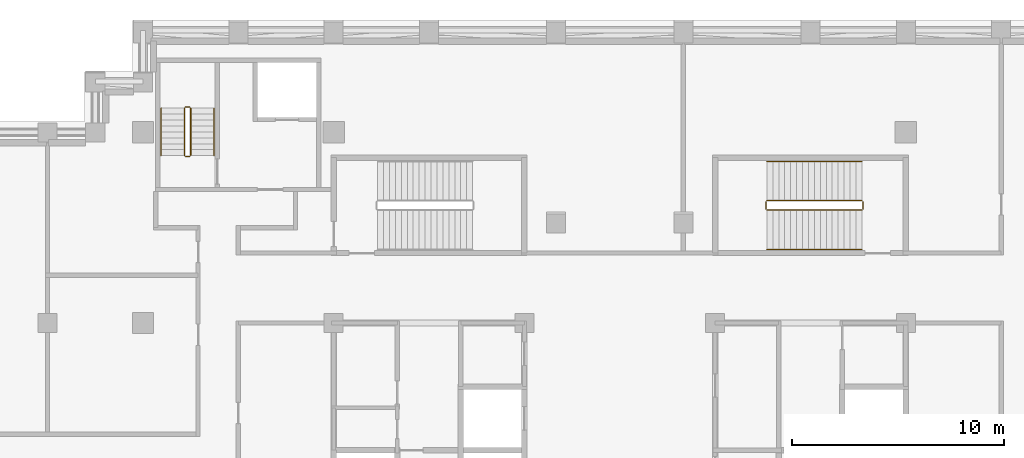
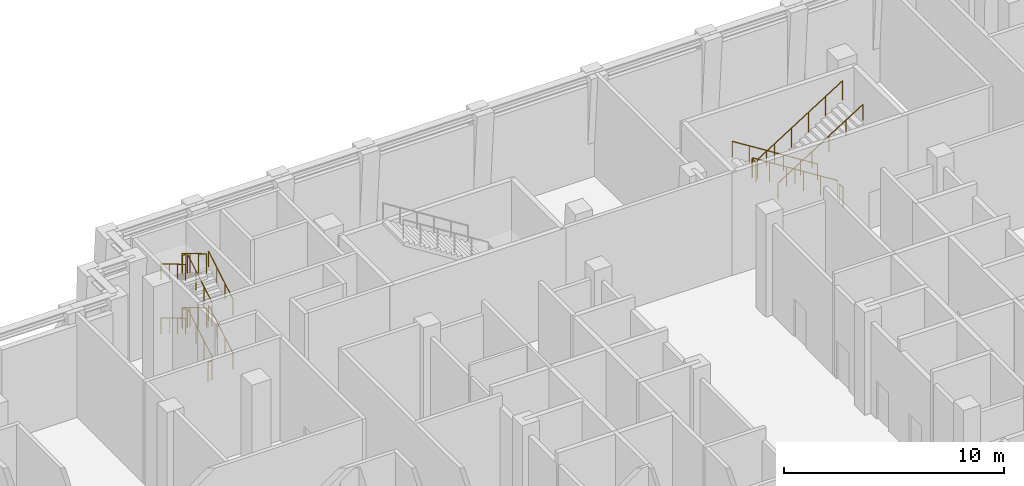
# One storey, part 10 of 10: 2 railings.
"""IFC4 building model written with IfcOpenShell, lengths in metres."""

from ifc_helpers import new_model, si_unit, direction, frame, origin, origin_2d, place, context, subcontext, project, spatial, circle, extrude, material, type_object, element, save


model = new_model("IFC4")

# Units and contexts
model_context = context("Model", 3, precision=1e-05, world=origin(), true_north=direction((0.0, 1.0)))
body_context = subcontext(model_context, "Body", "Model", "MODEL_VIEW")
ifc_project = project(units=[si_unit("LENGTHUNIT", "METRE"), si_unit("AREAUNIT", "SQUARE_METRE"), si_unit("VOLUMEUNIT", "CUBIC_METRE"), si_unit("PLANEANGLEUNIT", "RADIAN"), si_unit("MASSUNIT", "GRAM", prefix="KILO")], contexts=[model_context])

# Site, building, storey
site_placement = place(None, origin())
site = spatial("IfcSite", under=ifc_project, at=site_placement, CompositionType="ELEMENT")
building_placement = place(site_placement, origin())
building = spatial("IfcBuilding", under=site, at=building_placement, Name="Corbelhall Arena Tower", CompositionType="ELEMENT")
storey_placement = place(building_placement, frame((0.0, 0.0, 236.0)))
storey = spatial("IfcBuildingStorey", under=building, at=storey_placement, Name="L50", CompositionType="ELEMENT", Elevation=236.0)

# Railings
ifc_material = material(Name="Steel ASTM A500 Gr C", Category="steel")
railing_type = type_object("IfcRailingType", Name="IN-GD-1100", PredefinedType="GUARDRAIL", material=ifc_material)
railing_1_placement = place(storey_placement, frame((11.425048828125, 14.77490234375, 0.176513671875)))
element("IfcRailing", 1, at=railing_1_placement, inside=storey, type_object=railing_type, Name="L50 ST3 stair guards and handrails", PredefinedType="GUARDRAIL", context=body_context, shape_type="SweptSolid", body=[
    extrude(circle(Radius=0.02392578125, at=origin_2d()), frame((0.0, 0.0, 1.076171875), z_axis=(-0.845997938375, 0.0, 0.533186166611), x_axis=(0.0, -1.0, 0.0)), (0.0, 0.0, 1.0), 5.29541015625),
    extrude(circle(Radius=0.02392578125, at=origin_2d()), frame((-4.530029296875, -0.0498046875, 3.8994140625), z_axis=(0.0, -1.0, 0.0), x_axis=(1.0, 0.0, 0.0)), (0.0, 0.0, 1.0), 0.35009765625),
    extrude(circle(Radius=0.02392578125, at=origin_2d()), frame((-4.47998046875, -0.449951171875, 4.076171875), z_axis=(0.845997938375, 0.0, 0.533186166611), x_axis=(0.0, 1.0, 0.0)), (0.0, 0.0, 1.0), 5.29541015625),
    extrude(circle(Radius=0.02392578125, at=origin_2d()), frame((0.050048828125, -0.0498046875, 0.8994140625), z_axis=(0.0, -1.0, 0.0), x_axis=(1.0, 0.0, 0.0)), (0.0, 0.0, 1.0), 0.35009765625),
    extrude(circle(Radius=0.02392578125, at=origin_2d()), frame((0.0, 1.85009765625, 0.8759765625), z_axis=(-0.845997938375, 0.0, 0.533186166611), x_axis=(0.0, -1.0, 0.0)), (0.0, 0.0, 1.0), 5.29541015625),
    extrude(circle(Radius=0.02392578125, at=origin_2d()), frame((-4.47998046875, -2.2998046875, 3.8759765625), z_axis=(0.845997938375, 0.0, 0.533186166611), x_axis=(0.0, 1.0, 0.0)), (0.0, 0.0, 1.0), 5.29541015625),
    extrude(circle(Radius=0.02099609375, at=origin_2d()), origin(), (0.0, 0.0, 1.0), 1.052001953125),
    extrude(circle(Radius=0.02099609375, at=origin_2d()), frame((-0.89599609375, 0.0, 0.564697265625)), (0.0, 0.0, 1.0), 1.052001953125),
    extrude(circle(Radius=0.02099609375, at=origin_2d()), frame((-1.7919921875, 0.0, 1.12939453125)), (0.0, 0.0, 1.0), 1.052001953125),
    extrude(circle(Radius=0.02099609375, at=origin_2d()), frame((-2.68798828125, 0.0, 1.694091796875)), (0.0, 0.0, 1.0), 1.052001953125),
    extrude(circle(Radius=0.02099609375, at=origin_2d()), frame((-3.583984375, 0.0, 2.2587890625)), (0.0, 0.0, 1.0), 1.052001953125),
    extrude(circle(Radius=0.02099609375, at=origin_2d()), frame((-4.47998046875, 0.0, 2.823486328125)), (0.0, 0.0, 1.0), 1.052001953125),
    extrude(circle(Radius=0.02099609375, at=origin_2d()), frame((-4.530029296875, -0.0498046875, 2.823486328125)), (0.0, 0.0, 1.0), 1.052001953125),
    extrude(circle(Radius=0.02099609375, at=origin_2d()), frame((-4.530029296875, -0.39990234375, 2.823486328125)), (0.0, 0.0, 1.0), 1.052001953125),
    extrude(circle(Radius=0.02099609375, at=origin_2d()), frame((-4.47998046875, -0.449951171875, 3.0)), (0.0, 0.0, 1.0), 1.052001953125),
    extrude(circle(Radius=0.02099609375, at=origin_2d()), frame((-3.583984375, -0.449951171875, 3.564697265625)), (0.0, 0.0, 1.0), 1.052001953125),
    extrude(circle(Radius=0.02099609375, at=origin_2d()), frame((-2.68798828125, -0.449951171875, 4.12939453125)), (0.0, 0.0, 1.0), 1.052001953125),
    extrude(circle(Radius=0.02099609375, at=origin_2d()), frame((-1.7919921875, -0.449951171875, 4.694091796875)), (0.0, 0.0, 1.0), 1.052001953125),
    extrude(circle(Radius=0.02099609375, at=origin_2d()), frame((-0.89599609375, -0.449951171875, 5.2587890625)), (0.0, 0.0, 1.0), 1.052001953125),
    extrude(circle(Radius=0.02099609375, at=origin_2d()), frame((0.0, -0.449951171875, 5.823486328125)), (0.0, 0.0, 1.0), 1.052001953125),
    extrude(circle(Radius=0.02099609375, at=origin_2d()), frame((0.050048828125, -0.0498046875, -0.176513671875)), (0.0, 0.0, 1.0), 1.052001953125),
    extrude(circle(Radius=0.02099609375, at=origin_2d()), frame((0.050048828125, -0.39990234375, -0.176513671875)), (0.0, 0.0, 1.0), 1.052001953125),
    extrude(circle(Radius=0.02099609375, at=origin_2d()), frame((0.0, 1.85009765625, 0.0)), (0.0, 0.0, 1.0), 0.851806640625),
    extrude(circle(Radius=0.02099609375, at=origin_2d()), frame((-0.89599609375, 1.85009765625, 0.564697265625)), (0.0, 0.0, 1.0), 0.851806640625),
    extrude(circle(Radius=0.02099609375, at=origin_2d()), frame((-1.7919921875, 1.85009765625, 1.12939453125)), (0.0, 0.0, 1.0), 0.851806640625),
    extrude(circle(Radius=0.02099609375, at=origin_2d()), frame((-2.68798828125, 1.85009765625, 1.694091796875)), (0.0, 0.0, 1.0), 0.851806640625),
    extrude(circle(Radius=0.02099609375, at=origin_2d()), frame((-3.583984375, 1.85009765625, 2.2587890625)), (0.0, 0.0, 1.0), 0.851806640625),
    extrude(circle(Radius=0.02099609375, at=origin_2d()), frame((-4.47998046875, 1.85009765625, 2.823486328125)), (0.0, 0.0, 1.0), 0.851806640625),
    extrude(circle(Radius=0.02099609375, at=origin_2d()), frame((-4.47998046875, -2.2998046875, 3.0)), (0.0, 0.0, 1.0), 0.851806640625),
    extrude(circle(Radius=0.02099609375, at=origin_2d()), frame((-3.583984375, -2.2998046875, 3.564697265625)), (0.0, 0.0, 1.0), 0.851806640625),
    extrude(circle(Radius=0.02099609375, at=origin_2d()), frame((-2.68798828125, -2.2998046875, 4.12939453125)), (0.0, 0.0, 1.0), 0.851806640625),
    extrude(circle(Radius=0.02099609375, at=origin_2d()), frame((-1.7919921875, -2.2998046875, 4.694091796875)), (0.0, 0.0, 1.0), 0.851806640625),
    extrude(circle(Radius=0.02099609375, at=origin_2d()), frame((-0.89599609375, -2.2998046875, 5.2587890625)), (0.0, 0.0, 1.0), 0.851806640625),
    extrude(circle(Radius=0.02099609375, at=origin_2d()), frame((0.0, -2.2998046875, 5.823486328125)), (0.0, 0.0, 1.0), 0.851806640625),
])
railing_2_placement = place(storey_placement, frame((-20.2451171875, 16.89990234375, 0.166748046875)))
element("IfcRailing", 2, at=railing_2_placement, inside=storey, type_object=railing_type, Name="L50 ST5 stair guards and handrails", PredefinedType="GUARDRAIL", context=body_context, shape_type="SweptSolid", body=[
    extrude(circle(Radius=0.02392578125, at=origin_2d()), frame((0.0, 0.0, 1.076171875), z_axis=(0.0, 0.859305625298, 0.511462454469), x_axis=(-1.0, 0.0, 0.0)), (0.0, 0.0, 1.0), 2.606689453125),
    extrude(circle(Radius=0.02392578125, at=origin_2d()), frame((-0.0498046875, 2.2900390625, 2.4091796875), z_axis=(-1.0, 0.0, 0.0), x_axis=(0.0, -1.0, 0.0)), (0.0, 0.0, 1.0), 0.2001953125),
    extrude(circle(Radius=0.02392578125, at=origin_2d()), frame((-0.2998046875, 2.239990234375, 2.576171875), z_axis=(0.0, -0.859305625298, 0.511462454469), x_axis=(1.0, 0.0, 0.0)), (0.0, 0.0, 1.0), 2.606689453125),
    extrude(circle(Radius=0.02392578125, at=origin_2d()), frame((-0.0498046875, -0.0498046875, 3.9091796875), z_axis=(-1.0, 0.0, 0.0), x_axis=(0.0, -1.0, 0.0)), (0.0, 0.0, 1.0), 0.2001953125),
    extrude(circle(Radius=0.02392578125, at=origin_2d()), frame((0.0, 0.0, 4.076171875), z_axis=(0.0, 0.859305625298, 0.511462454469), x_axis=(-1.0, 0.0, 0.0)), (0.0, 0.0, 1.0), 2.606689453125),
    extrude(circle(Radius=0.02392578125, at=origin_2d()), frame((-0.0498046875, 2.2900390625, 5.4091796875), z_axis=(-1.0, 0.0, 0.0), x_axis=(0.0, -1.0, 0.0)), (0.0, 0.0, 1.0), 0.2001953125),
    extrude(circle(Radius=0.02392578125, at=origin_2d()), frame((-0.2998046875, 2.239990234375, 5.576171875), z_axis=(0.0, -0.859305625298, 0.511462454469), x_axis=(1.0, 0.0, 0.0)), (0.0, 0.0, 1.0), 2.606689453125),
    extrude(circle(Radius=0.02392578125, at=origin_2d()), frame((-0.0498046875, -0.0498046875, 0.9091796875), z_axis=(-1.0, 0.0, 0.0), x_axis=(0.0, -1.0, 0.0)), (0.0, 0.0, 1.0), 0.2001953125),
    extrude(circle(Radius=0.02392578125, at=origin_2d()), frame((1.10009765625, 0.0, 0.8759765625), z_axis=(0.0, 0.859305625298, 0.511462454469), x_axis=(-1.0, 0.0, 0.0)), (0.0, 0.0, 1.0), 2.606689453125),
    extrude(circle(Radius=0.02392578125, at=origin_2d()), frame((-1.39990234375, 2.239990234375, 2.3759765625), z_axis=(0.0, -0.859305625298, 0.511462454469), x_axis=(1.0, 0.0, 0.0)), (0.0, 0.0, 1.0), 2.606689453125),
    extrude(circle(Radius=0.02392578125, at=origin_2d()), frame((1.10009765625, 0.0, 3.8759765625), z_axis=(0.0, 0.859305625298, 0.511462454469), x_axis=(-1.0, 0.0, 0.0)), (0.0, 0.0, 1.0), 2.606689453125),
    extrude(circle(Radius=0.02392578125, at=origin_2d()), frame((-1.39990234375, 2.239990234375, 5.3759765625), z_axis=(0.0, -0.859305625298, 0.511462454469), x_axis=(1.0, 0.0, 0.0)), (0.0, 0.0, 1.0), 2.606689453125),
    extrude(circle(Radius=0.02099609375, at=origin_2d()), origin(), (0.0, 0.0, 1.0), 1.052001953125),
    extrude(circle(Radius=0.02099609375, at=origin_2d()), frame((0.0, 0.74658203125, 0.4443359375)), (0.0, 0.0, 1.0), 1.052001953125),
    extrude(circle(Radius=0.02099609375, at=origin_2d()), frame((0.0, 1.493408203125, 0.888916015625)), (0.0, 0.0, 1.0), 1.052001953125),
    extrude(circle(Radius=0.02099609375, at=origin_2d()), frame((0.0, 2.239990234375, 1.333251953125)), (0.0, 0.0, 1.0), 1.052001953125),
    extrude(circle(Radius=0.02099609375, at=origin_2d()), frame((-0.0498046875, 2.2900390625, 1.333251953125)), (0.0, 0.0, 1.0), 1.052001953125),
    extrude(circle(Radius=0.02099609375, at=origin_2d()), frame((-0.25, 2.2900390625, 1.333251953125)), (0.0, 0.0, 1.0), 1.052001953125),
    extrude(circle(Radius=0.02099609375, at=origin_2d()), frame((-0.2998046875, 2.239990234375, 1.5)), (0.0, 0.0, 1.0), 1.052001953125),
    extrude(circle(Radius=0.02099609375, at=origin_2d()), frame((-0.2998046875, 1.493408203125, 1.9443359375)), (0.0, 0.0, 1.0), 1.052001953125),
    extrude(circle(Radius=0.02099609375, at=origin_2d()), frame((-0.2998046875, 0.74658203125, 2.388916015625)), (0.0, 0.0, 1.0), 1.052001953125),
    extrude(circle(Radius=0.02099609375, at=origin_2d()), frame((-0.2998046875, 0.0, 2.833251953125)), (0.0, 0.0, 1.0), 1.052001953125),
    extrude(circle(Radius=0.02099609375, at=origin_2d()), frame((-0.0498046875, -0.0498046875, 2.833251953125)), (0.0, 0.0, 1.0), 1.052001953125),
    extrude(circle(Radius=0.02099609375, at=origin_2d()), frame((-0.25, -0.0498046875, 2.833251953125)), (0.0, 0.0, 1.0), 1.052001953125),
    extrude(circle(Radius=0.02099609375, at=origin_2d()), frame((0.0, 0.0, 3.0)), (0.0, 0.0, 1.0), 1.052001953125),
    extrude(circle(Radius=0.02099609375, at=origin_2d()), frame((0.0, 0.74658203125, 3.4443359375)), (0.0, 0.0, 1.0), 1.052001953125),
    extrude(circle(Radius=0.02099609375, at=origin_2d()), frame((0.0, 1.493408203125, 3.888916015625)), (0.0, 0.0, 1.0), 1.052001953125),
    extrude(circle(Radius=0.02099609375, at=origin_2d()), frame((0.0, 2.239990234375, 4.333251953125)), (0.0, 0.0, 1.0), 1.052001953125),
    extrude(circle(Radius=0.02099609375, at=origin_2d()), frame((-0.0498046875, 2.2900390625, 4.333251953125)), (0.0, 0.0, 1.0), 1.052001953125),
    extrude(circle(Radius=0.02099609375, at=origin_2d()), frame((-0.25, 2.2900390625, 4.333251953125)), (0.0, 0.0, 1.0), 1.052001953125),
    extrude(circle(Radius=0.02099609375, at=origin_2d()), frame((-0.2998046875, 2.239990234375, 4.5)), (0.0, 0.0, 1.0), 1.052001953125),
    extrude(circle(Radius=0.02099609375, at=origin_2d()), frame((-0.2998046875, 1.493408203125, 4.9443359375)), (0.0, 0.0, 1.0), 1.052001953125),
    extrude(circle(Radius=0.02099609375, at=origin_2d()), frame((-0.2998046875, 0.74658203125, 5.388916015625)), (0.0, 0.0, 1.0), 1.052001953125),
    extrude(circle(Radius=0.02099609375, at=origin_2d()), frame((-0.2998046875, 0.0, 5.833251953125)), (0.0, 0.0, 1.0), 1.052001953125),
    extrude(circle(Radius=0.02099609375, at=origin_2d()), frame((-0.0498046875, -0.0498046875, -0.166748046875)), (0.0, 0.0, 1.0), 1.052001953125),
    extrude(circle(Radius=0.02099609375, at=origin_2d()), frame((-0.25, -0.0498046875, -0.166748046875)), (0.0, 0.0, 1.0), 1.052001953125),
    extrude(circle(Radius=0.02099609375, at=origin_2d()), frame((1.10009765625, 0.0, 0.0)), (0.0, 0.0, 1.0), 0.851806640625),
    extrude(circle(Radius=0.02099609375, at=origin_2d()), frame((1.10009765625, 0.74658203125, 0.4443359375)), (0.0, 0.0, 1.0), 0.851806640625),
    extrude(circle(Radius=0.02099609375, at=origin_2d()), frame((1.10009765625, 1.493408203125, 0.888916015625)), (0.0, 0.0, 1.0), 0.851806640625),
    extrude(circle(Radius=0.02099609375, at=origin_2d()), frame((1.10009765625, 2.239990234375, 1.333251953125)), (0.0, 0.0, 1.0), 0.851806640625),
    extrude(circle(Radius=0.02099609375, at=origin_2d()), frame((-1.39990234375, 2.239990234375, 1.5)), (0.0, 0.0, 1.0), 0.851806640625),
    extrude(circle(Radius=0.02099609375, at=origin_2d()), frame((-1.39990234375, 1.493408203125, 1.9443359375)), (0.0, 0.0, 1.0), 0.851806640625),
    extrude(circle(Radius=0.02099609375, at=origin_2d()), frame((-1.39990234375, 0.74658203125, 2.388916015625)), (0.0, 0.0, 1.0), 0.851806640625),
    extrude(circle(Radius=0.02099609375, at=origin_2d()), frame((-1.39990234375, 0.0, 2.833251953125)), (0.0, 0.0, 1.0), 0.851806640625),
    extrude(circle(Radius=0.02099609375, at=origin_2d()), frame((1.10009765625, 0.0, 3.0)), (0.0, 0.0, 1.0), 0.851806640625),
    extrude(circle(Radius=0.02099609375, at=origin_2d()), frame((1.10009765625, 0.74658203125, 3.4443359375)), (0.0, 0.0, 1.0), 0.851806640625),
    extrude(circle(Radius=0.02099609375, at=origin_2d()), frame((1.10009765625, 1.493408203125, 3.888916015625)), (0.0, 0.0, 1.0), 0.851806640625),
    extrude(circle(Radius=0.02099609375, at=origin_2d()), frame((1.10009765625, 2.239990234375, 4.333251953125)), (0.0, 0.0, 1.0), 0.851806640625),
    extrude(circle(Radius=0.02099609375, at=origin_2d()), frame((-1.39990234375, 2.239990234375, 4.5)), (0.0, 0.0, 1.0), 0.851806640625),
    extrude(circle(Radius=0.02099609375, at=origin_2d()), frame((-1.39990234375, 1.493408203125, 4.9443359375)), (0.0, 0.0, 1.0), 0.851806640625),
    extrude(circle(Radius=0.02099609375, at=origin_2d()), frame((-1.39990234375, 0.74658203125, 5.388916015625)), (0.0, 0.0, 1.0), 0.851806640625),
    extrude(circle(Radius=0.02099609375, at=origin_2d()), frame((-1.39990234375, 0.0, 5.833251953125)), (0.0, 0.0, 1.0), 0.851806640625),
])

save(model, "model.ifc")
